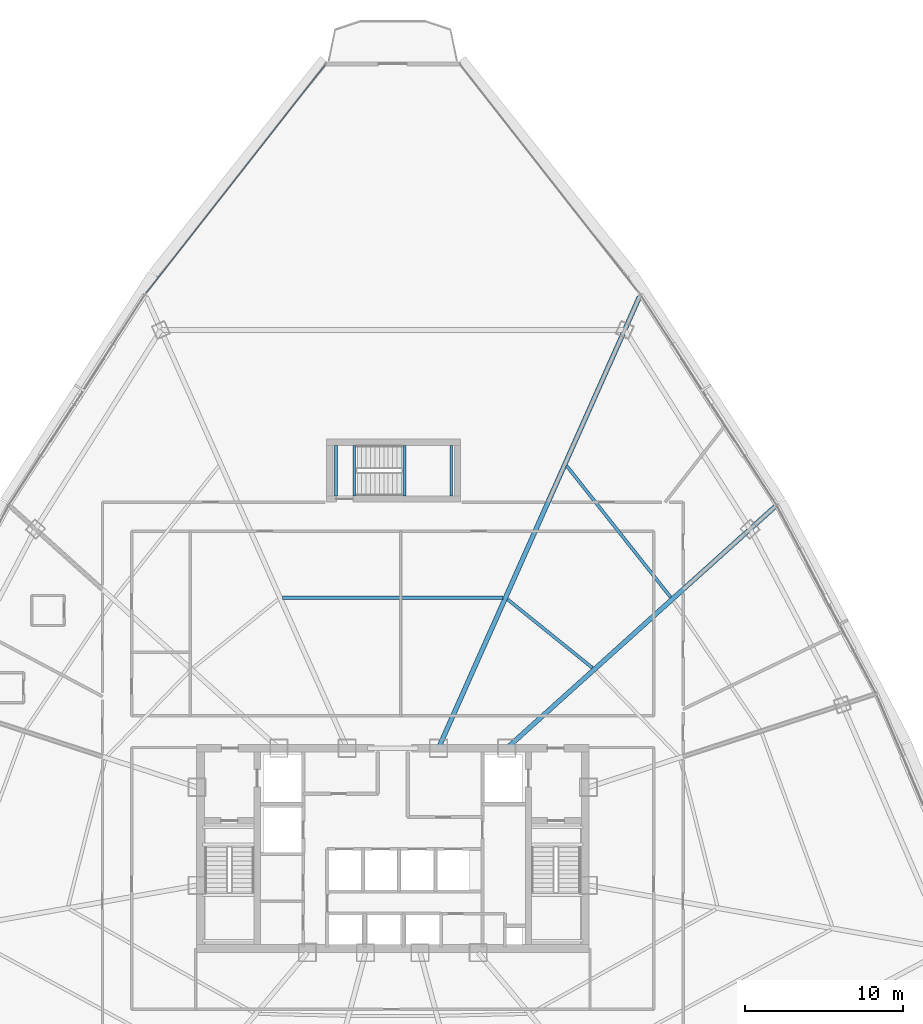
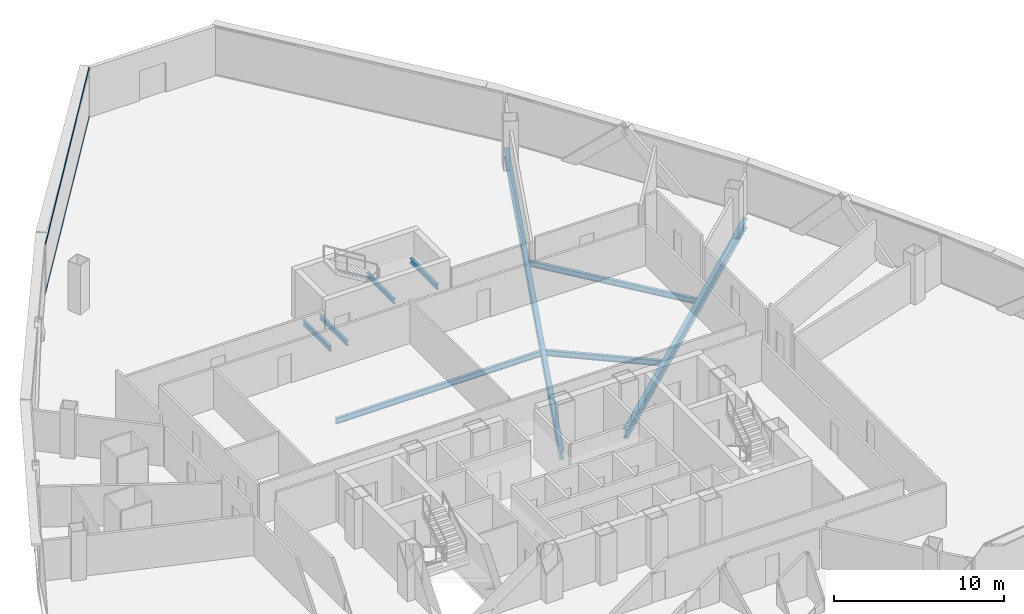
# One storey, part 19 of 40: 9 beams, 2 members, 1 element without a shape of its own.
"""IFC4 building model written with IfcOpenShell, lengths in metres."""

from ifc_helpers import new_model, si_unit, direction, frame, origin, origin_2d, place, context, subcontext, project, spatial, hollow_rectangle, i_section, extrude, source, transform, mapped, material, layer, layer_set, material_profile, profile_set, type_object, element, aggregate, save


model = new_model("IFC4")

# Units and contexts
model_context = context("Model", 3, precision=1e-05, world=origin(), true_north=direction((0.0, 1.0)))
body_context = subcontext(model_context, "Body", "Model", "MODEL_VIEW")
ifc_project = project(units=[si_unit("LENGTHUNIT", "METRE"), si_unit("AREAUNIT", "SQUARE_METRE"), si_unit("VOLUMEUNIT", "CUBIC_METRE"), si_unit("PLANEANGLEUNIT", "RADIAN"), si_unit("MASSUNIT", "GRAM", prefix="KILO"), si_unit("THERMODYNAMICTEMPERATUREUNIT", "KELVIN"), si_unit("POWERUNIT", "WATT")], contexts=[model_context])

# Site, building, storey
site_placement = place(None, origin())
site = spatial("IfcSite", under=ifc_project, at=site_placement, CompositionType="ELEMENT")
building_placement = place(site_placement, origin())
building = spatial("IfcBuilding", under=site, at=building_placement, Name="Yunzhuo Pagoda Commons", CompositionType="ELEMENT")
storey_placement = place(building_placement, frame((0.0, 0.0, 180.9599609375)))
storey = spatial("IfcBuildingStorey", under=building, at=storey_placement, Name="L45", CompositionType="ELEMENT", Elevation=180.9599609375)

# Beams
ifc_material_1 = material(Name="Structural steel Q355B", Category="steel")
ifc_material_profile_1 = material_profile(ifc_material_1, i_section(OverallWidth=0.175048828125, OverallDepth=0.35009765625, WebThickness=0.007080078125, FlangeThickness=0.010986328125, at=origin_2d()), Name="Structural steel Q355B")
ifc_profile_set_1 = profile_set([ifc_material_profile_1], Name="Structural steel Q355B")
beam_type_1 = type_object("IfcBeamType", Name="B-JS2 Joist HN 350x175x7x11", PredefinedType="JOIST", material=ifc_profile_set_1)
shared_shape_1 = source(origin(), body_context, "Body", "SweptSolid", [
    extrude(i_section(OverallWidth=0.175048828125, OverallDepth=0.35009765625, WebThickness=0.007080078125, FlangeThickness=0.010986328125, at=origin_2d()), origin(), (0.0, 0.0, 1.0), 3.199951171875),
])
for number, where, z_axis, x_axis, name in (
    (1, (48.75, 56.199951171875, 1.525146484375), (0.0, 1.0, 0.0), (-1.0, 0.0, 0.0), "L45 ST3 landing support beam 51A"),
    (2, (51.699951171875, 56.199951171875, 1.525146484375), (0.0, 1.0, 0.0), (-1.0, 0.0, 0.0), "L45 ST3 landing support beam 51B"),
    (3, (44.39990234375, 56.199951171875, -0.375), (0.0, 1.0, 0.0), (-1.0, 0.0, 0.0), "L45 ST3 landing support beam 119A"),
    (4, (45.550048828125, 56.199951171875, -0.375), (0.0, 1.0, 0.0), (-1.0, 0.0, 0.0), "L45 ST3 landing support beam 119B"),
):
    element("IfcBeam", number, at=place(storey_placement, frame(where, z_axis=z_axis, x_axis=x_axis)), inside=storey, type_object=beam_type_1, Name=name, PredefinedType="JOIST", context=body_context, shape_type="MappedRepresentation", body=[
        mapped(shared_shape_1, transform((0.0, 0.0, 0.0), scale=1.0)),
    ])
ifc_material_profile_2 = material_profile(ifc_material_1, i_section(OverallWidth=0.300048828125, OverallDepth=0.64990234375, WebThickness=0.012939453125, FlangeThickness=0.02197265625, at=origin_2d()), Name="Structural steel Q355B")
ifc_profile_set_2 = profile_set([ifc_material_profile_2], Name="Structural steel Q355B")
beam_type_2 = type_object("IfcBeamType", Name="B-RG2 Beam HN 650x300x13x22", PredefinedType="BEAM", material=ifc_profile_set_2)
shared_shape_2 = source(origin(), body_context, "Body", "SweptSolid", [
    extrude(i_section(OverallWidth=0.300048828125, OverallDepth=0.64990234375, WebThickness=0.012939453125, FlangeThickness=0.02197265625, at=origin_2d()), origin(), (0.0, 0.0, 1.0), 22.87744140625),
])
beam_1_placement = place(storey_placement, frame((72.22021484375, 55.508056640625, -0.5849609375), z_axis=(-0.743141834846, -0.669133927776, 0.0), x_axis=(0.669133927776, -0.743141834846, 0.0)))
element("IfcBeam", 5, at=beam_1_placement, inside=storey, type_object=beam_type_2, Name="L45 radial floor girder F2C3", PredefinedType="BEAM", context=body_context, shape_type="MappedRepresentation", body=[
    mapped(shared_shape_2, transform((0.0, 0.0, 0.0), scale=1.0)),
])
shared_shape_3 = source(origin(), body_context, "Body", "SweptSolid", [
    extrude(i_section(OverallWidth=0.300048828125, OverallDepth=0.64990234375, WebThickness=0.012939453125, FlangeThickness=0.02197265625, at=origin_2d()), origin(), (0.0, 0.0, 1.0), 31.328125),
])
beam_2_placement = place(storey_placement, frame((63.636474609375, 68.819580078125, -0.5849609375), z_axis=(-0.406740689306, -0.913543656134, 0.0), x_axis=(0.913543656134, -0.406740689306, 0.0)))
element("IfcBeam", 6, at=beam_2_placement, inside=storey, type_object=beam_type_2, Name="L45 radial floor girder F2C4", PredefinedType="BEAM", context=body_context, shape_type="MappedRepresentation", body=[
    mapped(shared_shape_3, transform((0.0, 0.0, 0.0), scale=1.0)),
])
ifc_material_profile_3 = material_profile(ifc_material_1, i_section(OverallWidth=0.199951171875, OverallDepth=0.39990234375, WebThickness=0.008056640625, FlangeThickness=0.012939453125, at=origin_2d()), Name="Structural steel Q355B")
ifc_profile_set_3 = profile_set([ifc_material_profile_3], Name="Structural steel Q355B")
beam_type_3 = type_object("IfcBeamType", Name="B-JS1 Joist HN 400x200x8x13", PredefinedType="JOIST", material=ifc_profile_set_3)
shared_shape_4 = source(origin(), body_context, "Body", "SweptSolid", [
    extrude(i_section(OverallWidth=0.199951171875, OverallDepth=0.39990234375, WebThickness=0.008056640625, FlangeThickness=0.012939453125, at=origin_2d()), origin(), (0.0, 0.0, 1.0), 6.916748046875),
])
beam_3_placement = place(storey_placement, frame((60.650634765625, 45.302001953125, -0.4599609375), z_axis=(-0.778265575865, 0.627935262127, 0.0), x_axis=(-0.627935262127, -0.778265575865, 0.0)))
element("IfcBeam", 7, at=beam_3_placement, inside=storey, type_object=beam_type_3, Name="L45 composite ring joist 1.7", PredefinedType="JOIST", context=body_context, shape_type="MappedRepresentation", body=[
    mapped(shared_shape_4, transform((0.0, 0.0, 0.0), scale=1.0)),
])
shared_shape_5 = source(origin(), body_context, "Body", "SweptSolid", [
    extrude(i_section(OverallWidth=0.199951171875, OverallDepth=0.39990234375, WebThickness=0.008056640625, FlangeThickness=0.012939453125, at=origin_2d()), origin(), (0.0, 0.0, 1.0), 10.62548828125),
])
beam_4_placement = place(storey_placement, frame((65.614013671875, 49.773193359375, -0.4599609375), z_axis=(-0.620561688531, 0.784157631301, 0.0), x_axis=(-0.784157631301, -0.620561688531, 0.0)))
element("IfcBeam", 8, at=beam_4_placement, inside=storey, type_object=beam_type_3, Name="L45 composite ring joist 2.7", PredefinedType="JOIST", context=body_context, shape_type="MappedRepresentation", body=[
    mapped(shared_shape_5, transform((0.0, 0.0, 0.0), scale=1.0)),
])
shared_shape_6 = source(origin(), body_context, "Body", "SweptSolid", [
    extrude(i_section(OverallWidth=0.199951171875, OverallDepth=0.39990234375, WebThickness=0.008056640625, FlangeThickness=0.012939453125, at=origin_2d()), origin(), (0.0, 0.0, 1.0), 13.9697265625),
])
beam_5_placement = place(storey_placement, frame((54.98486328125, 49.7451171875, -0.4599609375), z_axis=(-1.0, 0.0, 0.0), x_axis=(0.0, -1.0, 0.0)))
element("IfcBeam", 9, at=beam_5_placement, inside=storey, type_object=beam_type_3, Name="L45 composite ring joist 1.8", PredefinedType="JOIST", context=body_context, shape_type="MappedRepresentation", body=[
    mapped(shared_shape_6, transform((0.0, 0.0, 0.0), scale=1.0)),
])

# Curtain wall, members
ifc_material_2 = material(Name="Anodized aluminium 6063-T6", Category="aluminium")
ifc_layer = layer(ifc_material_2, 0.14990234375)
ifc_layer_set = layer_set([ifc_layer], Name="Anodized aluminium 6063-T6")
curtain_wall_type = type_object("IfcCurtainWallType", Name="CW-MID Mid-Zone Ribbon Curtain Wall", PredefinedType="NOTDEFINED", material=ifc_layer_set)
curtain_wall_placement = place(storey_placement, origin())
curtain_wall = element("IfcCurtainWall", 10, at=curtain_wall_placement, inside=storey, type_object=curtain_wall_type, Name="L45 curtain wall CW-L45-F3B1", PredefinedType="NOTDEFINED")
ifc_material_profile_4 = material_profile(ifc_material_2, hollow_rectangle(XDim=0.054931640625, YDim=0.1298828125, WallThickness=0.00341796875, at=origin_2d()), Name="Anodized aluminium 6063-T6")
ifc_profile_set_4 = profile_set([ifc_material_profile_4], Name="Anodized aluminium 6063-T6")
member_type = type_object("IfcMemberType", Name="CW-MID-T Transom RHS 130x55x3.5", PredefinedType="USERDEFINED", material=ifc_profile_set_4)
shared_shape_7 = source(origin(), body_context, "Body", "SweptSolid", [
    extrude(hollow_rectangle(XDim=0.054931640625, YDim=0.1298828125, WallThickness=0.00341796875, at=origin_2d()), origin(), (0.0, 0.0, 1.0), 18.384765625),
])
member_1_placement = place(storey_placement, frame((43.727783203125, 83.535400390625, 0.027587890625), z_axis=(-0.617021275129, -0.786946469614, 0.0), x_axis=(0.786946469614, -0.617021275129, 0.0)))
member_1 = element("IfcMember", 11, at=member_1_placement, type_object=member_type, Name="CW transom 1.1", ObjectType="TRANSOM", PredefinedType="USERDEFINED", context=body_context, shape_type="MappedRepresentation", body=[
    mapped(shared_shape_7, transform((0.0, 0.0, 0.0), scale=1.0)),
])
member_2_placement = place(storey_placement, frame((43.727783203125, 83.535400390625, 3.512451171875), z_axis=(-0.617021275129, -0.786946469614, 0.0), x_axis=(0.786946469614, -0.617021275129, 0.0)))
member_2 = element("IfcMember", 12, at=member_2_placement, type_object=member_type, Name="CW transom 1.2", ObjectType="TRANSOM", PredefinedType="USERDEFINED", context=body_context, shape_type="MappedRepresentation", body=[
    mapped(shared_shape_7, transform((0.0, 0.0, 0.0), scale=1.0)),
])
aggregate(curtain_wall, [member_1, member_2])

save(model, "model.ifc")
